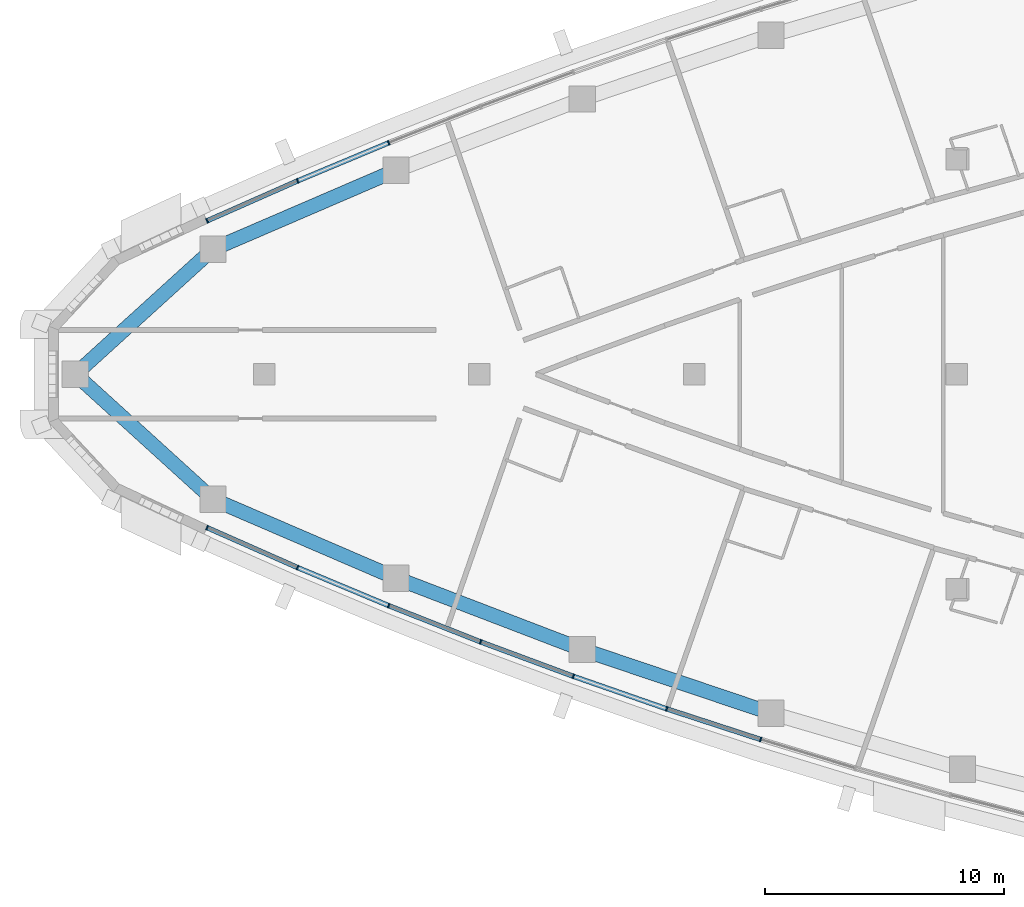
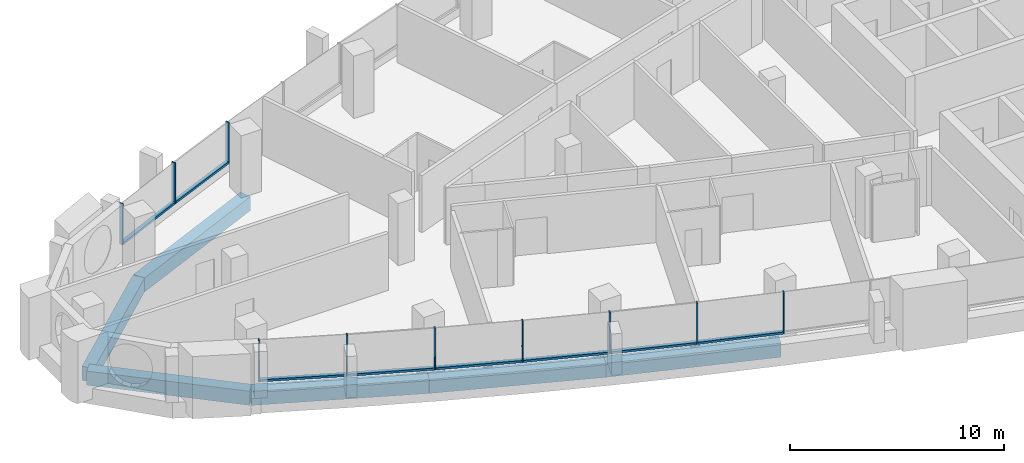
# One storey, part 2 of 15: 18 members, 6 beams, 5 elements without a shape of their own.
"""IFC4 building model written with IfcOpenShell, lengths in metres."""

from ifc_helpers import new_model, si_unit, direction, frame, origin, origin_2d, place, context, subcontext, project, spatial, rectangle, extrude, material, layer, layer_set, material_profile, profile_set, type_object, element, aggregate, save


model = new_model("IFC4")

# Units and contexts
model_context = context("Model", 3, precision=1e-05, world=origin(), true_north=direction((0.0, 1.0)))
body_context = subcontext(model_context, "Body", "Model", "MODEL_VIEW")
ifc_project = project(units=[si_unit("LENGTHUNIT", "METRE"), si_unit("AREAUNIT", "SQUARE_METRE"), si_unit("VOLUMEUNIT", "CUBIC_METRE"), si_unit("PLANEANGLEUNIT", "RADIAN"), si_unit("MASSUNIT", "GRAM", prefix="KILO")], contexts=[model_context])

# Site, building, storey
site_placement = place(None, origin())
site = spatial("IfcSite", under=ifc_project, at=site_placement, CompositionType="ELEMENT")
building_placement = place(site_placement, origin())
building = spatial("IfcBuilding", under=site, at=building_placement, Name="Ostrand Prow Hotel Tower", CompositionType="ELEMENT")
storey_placement = place(building_placement, frame((0.0, 0.0, 292.75)))
storey = spatial("IfcBuildingStorey", under=building, at=storey_placement, Name="L74", CompositionType="ELEMENT", Elevation=292.75)

# Beams
ifc_material_1 = material(Name="Concrete C50/60", Category="concrete")
ifc_material_profile_1 = material_profile(ifc_material_1, rectangle(XDim=0.60009765625, YDim=0.800048828125, at=origin_2d()), Name="RC 600x800")
ifc_profile_set_1 = profile_set([ifc_material_profile_1], Name="Concrete C50/60")
beam_type = type_object("IfcBeamType", Name="Edge beam 600x800 C50/60", PredefinedType="SPANDREL", material=ifc_profile_set_1)
beam_1_placement = place(storey_placement, frame((8.082763671875, 0.0, -0.699951171875), z_axis=(0.740124460758, -0.672469912032, 0.0), x_axis=(0.672469912032, 0.740124460758, 0.0)))
element("IfcBeam", 1, at=beam_1_placement, inside=storey, type_object=beam_type, Name="Edge beam P-S1", PredefinedType="SPANDREL", context=body_context, shape_type="SweptSolid", body=[
    extrude(rectangle(XDim=0.60009765625, YDim=0.800048828125, at=origin_2d()), origin(), (0.0, 0.0, 1.0), 7.787353515625),
])
for number, where, z_axis, x_axis, name in (
    (2, (13.846435546875, -5.23681640625, -0.699951171875), (0.918403788687, -0.39564438695, 0.0), (0.39564438695, 0.918403788687, 0.0), "Edge beam S1-S2"),
    (3, (21.51416015625, -8.5400390625, -0.699951171875), (0.933761753797, -0.357895218111, 0.0), (0.357895218111, 0.933761753797, 0.0), "Edge beam S2-S3"),
    (4, (29.31005859375, -11.528076171875, -0.699951171875), (0.947575089419, -0.319533174981, 0.0), (0.319533174981, 0.947575089419, 0.0), "Edge beam S3-S4"),
    (5, (21.51416015625, 8.5400390625, -0.699951171875), (-0.918403788687, -0.39564438695, 0.0), (0.39564438695, -0.918403788687, 0.0), "Edge beam N5-N6"),
):
    element("IfcBeam", number, at=place(storey_placement, frame(where, z_axis=z_axis, x_axis=x_axis)), inside=storey, type_object=beam_type, Name=name, PredefinedType="SPANDREL", context=body_context, shape_type="SweptSolid", body=[
        extrude(rectangle(XDim=0.60009765625, YDim=0.800048828125, at=origin_2d()), origin(), (0.0, 0.0, 1.0), 8.348876953125),
    ])
beam_2_placement = place(storey_placement, frame((13.846435546875, 5.23681640625, -0.699951171875), z_axis=(-0.740124460758, -0.672469912032, 0.0), x_axis=(0.672469912032, -0.740124460758, 0.0)))
element("IfcBeam", 6, at=beam_2_placement, inside=storey, type_object=beam_type, Name="Edge beam N6-P", PredefinedType="SPANDREL", context=body_context, shape_type="SweptSolid", body=[
    extrude(rectangle(XDim=0.60009765625, YDim=0.800048828125, at=origin_2d()), origin(), (0.0, 0.0, 1.0), 7.787353515625),
])

# Curtain wall, members
ifc_material_2 = material(Name="Insulated glass in bronze anodised frame", Category="glass")
ifc_layer = layer(ifc_material_2, 0.199951171875)
ifc_layer_set = layer_set([ifc_layer], Name="Insulated glass in bronze anodised frame")
curtain_wall_type = type_object("IfcCurtainWallType", Name="Strip curtain wall, fritted glass over bronze spandrel", PredefinedType="NOTDEFINED", material=ifc_layer_set)
curtain_wall_1_placement = place(storey_placement, origin())
curtain_wall_1 = element("IfcCurtainWall", 7, at=curtain_wall_1_placement, inside=storey, type_object=curtain_wall_type, Name="CW1 run CWS1", PredefinedType="NOTDEFINED")
ifc_material_3 = material(Name="Bronze anodised aluminium", Category="aluminium")
ifc_material_profile_2 = material_profile(ifc_material_3, rectangle(XDim=0.199951171875, YDim=0.06005859375, at=origin_2d()), Name="Mullion 60x200 bronze anodised aluminium")
ifc_profile_set_2 = profile_set([ifc_material_profile_2], Name="Bronze anodised aluminium")
member_type_1 = type_object("IfcMemberType", Name="Mullion 60x200 bronze anodised aluminium", PredefinedType="MULLION", material=ifc_profile_set_2)
member_1_placement = place(storey_placement, frame((13.60009765625, -6.423583984375, 0.89990234375), z_axis=(0.0, 0.0, 1.0), x_axis=(0.403939694592, 0.914785615941, 0.0)))
member_1 = element("IfcMember", 8, at=member_1_placement, type_object=member_type_1, Name="CW1 mullion 1", PredefinedType="MULLION", context=body_context, shape_type="SweptSolid", body=[
    extrude(rectangle(XDim=0.199951171875, YDim=0.06005859375, at=origin_2d()), origin(), (0.0, 0.0, 1.0), 2.35009765625),
])
member_2_placement = place(storey_placement, frame((17.386962890625, -8.095947265625, 0.89990234375), z_axis=(0.0, 0.0, 1.0), x_axis=(0.385471263659, 0.922719840955, 0.0)))
member_2 = element("IfcMember", 9, at=member_2_placement, type_object=member_type_1, Name="CW1 mullion 2", PredefinedType="MULLION", context=body_context, shape_type="SweptSolid", body=[
    extrude(rectangle(XDim=0.199951171875, YDim=0.06005859375, at=origin_2d()), origin(), (0.0, 0.0, 1.0), 2.35009765625),
])
member_3_placement = place(storey_placement, frame((21.206787109375, -9.691650390625, 0.89990234375), z_axis=(0.0, 0.0, 1.0), x_axis=(0.385471263659, 0.922719840955, 0.0)))
member_3 = element("IfcMember", 10, at=member_3_placement, type_object=member_type_1, Name="CW1 mullion 3", PredefinedType="MULLION", context=body_context, shape_type="SweptSolid", body=[
    extrude(rectangle(XDim=0.199951171875, YDim=0.06005859375, at=origin_2d()), origin(), (0.0, 0.0, 1.0), 2.35009765625),
])

curtain_wall_2_placement = place(storey_placement, origin())
curtain_wall_2 = element("IfcCurtainWall", 11, at=curtain_wall_2_placement, inside=storey, type_object=curtain_wall_type, Name="CW1 run CWS2", PredefinedType="NOTDEFINED")
member_4_placement = place(storey_placement, frame((25.05810546875, -11.210205078125, 0.89990234375), z_axis=(0.0, 0.0, 1.0), x_axis=(0.348071422738, 0.937468017947, 0.0)))
member_4 = element("IfcMember", 12, at=member_4_placement, type_object=member_type_1, Name="CW1 mullion 2", PredefinedType="MULLION", context=body_context, shape_type="SweptSolid", body=[
    extrude(rectangle(XDim=0.199951171875, YDim=0.06005859375, at=origin_2d()), origin(), (0.0, 0.0, 1.0), 2.35009765625),
])
member_5_placement = place(storey_placement, frame((28.93896484375, -12.6513671875, 0.89990234375), z_axis=(0.0, 0.0, 1.0), x_axis=(0.348071422738, 0.937468017947, 0.0)))
member_5 = element("IfcMember", 13, at=member_5_placement, type_object=member_type_1, Name="CW1 mullion 3", PredefinedType="MULLION", context=body_context, shape_type="SweptSolid", body=[
    extrude(rectangle(XDim=0.199951171875, YDim=0.06005859375, at=origin_2d()), origin(), (0.0, 0.0, 1.0), 2.35009765625),
])

curtain_wall_3_placement = place(storey_placement, origin())
curtain_wall_3 = element("IfcCurtainWall", 14, at=curtain_wall_3_placement, inside=storey, type_object=curtain_wall_type, Name="CW1 run CWS3", PredefinedType="NOTDEFINED")
member_6_placement = place(storey_placement, frame((32.84814453125, -14.013916015625, 0.89990234375), z_axis=(0.0, 0.0, 1.0), x_axis=(0.310110668289, 0.950700464612, 0.0)))
member_6 = element("IfcMember", 15, at=member_6_placement, type_object=member_type_1, Name="CW1 mullion 2", PredefinedType="MULLION", context=body_context, shape_type="SweptSolid", body=[
    extrude(rectangle(XDim=0.199951171875, YDim=0.06005859375, at=origin_2d()), origin(), (0.0, 0.0, 1.0), 2.35009765625),
])
member_7_placement = place(storey_placement, frame((36.78369140625, -15.297607421875, 0.89990234375), z_axis=(0.0, 0.0, 1.0), x_axis=(0.310110668289, 0.950700464612, 0.0)))
member_7 = element("IfcMember", 16, at=member_7_placement, type_object=member_type_1, Name="CW1 mullion 3", PredefinedType="MULLION", context=body_context, shape_type="SweptSolid", body=[
    extrude(rectangle(XDim=0.199951171875, YDim=0.06005859375, at=origin_2d()), origin(), (0.0, 0.0, 1.0), 2.35009765625),
])

# Curtain wall, member
curtain_wall_4_placement = place(storey_placement, origin())
curtain_wall_4 = element("IfcCurtainWall", 17, at=curtain_wall_4_placement, inside=storey, type_object=curtain_wall_type, Name="CW1 run CWN4", PredefinedType="NOTDEFINED")
member_8_placement = place(storey_placement, frame((21.206787109375, 9.691650390625, 0.89990234375), z_axis=(0.0, 0.0, 1.0), x_axis=(0.366845465248, -0.930281895249, 0.0)))
member_8 = element("IfcMember", 18, at=member_8_placement, type_object=member_type_1, Name="CW1 mullion 3", PredefinedType="MULLION", context=body_context, shape_type="SweptSolid", body=[
    extrude(rectangle(XDim=0.199951171875, YDim=0.06005859375, at=origin_2d()), origin(), (0.0, 0.0, 1.0), 2.35009765625),
])
aggregate(curtain_wall_4, [member_8])

# Curtain wall, members
curtain_wall_5_placement = place(storey_placement, origin())
curtain_wall_5 = element("IfcCurtainWall", 19, at=curtain_wall_5_placement, inside=storey, type_object=curtain_wall_type, Name="CW1 run CWN5", PredefinedType="NOTDEFINED")
member_9_placement = place(storey_placement, frame((17.386962890625, 8.095947265625, 0.89990234375), z_axis=(0.0, 0.0, 1.0), x_axis=(0.403939694592, -0.914785615941, 0.0)))
member_9 = element("IfcMember", 20, at=member_9_placement, type_object=member_type_1, Name="CW1 mullion 2", PredefinedType="MULLION", context=body_context, shape_type="SweptSolid", body=[
    extrude(rectangle(XDim=0.199951171875, YDim=0.06005859375, at=origin_2d()), origin(), (0.0, 0.0, 1.0), 2.35009765625),
])
member_10_placement = place(storey_placement, frame((13.60009765625, 6.423583984375, 0.89990234375), z_axis=(0.0, 0.0, 1.0), x_axis=(0.403939694592, -0.914785615941, 0.0)))
member_10 = element("IfcMember", 21, at=member_10_placement, type_object=member_type_1, Name="CW1 mullion 3", PredefinedType="MULLION", context=body_context, shape_type="SweptSolid", body=[
    extrude(rectangle(XDim=0.199951171875, YDim=0.06005859375, at=origin_2d()), origin(), (0.0, 0.0, 1.0), 2.35009765625),
])

# Member
ifc_material_4 = material(Name="Bronze anodised aluminium", Category="aluminium")
ifc_material_profile_3 = material_profile(ifc_material_4, rectangle(XDim=0.199951171875, YDim=0.1201171875, at=origin_2d()), Name="Transom 120x200 bronze anodised aluminium")
ifc_profile_set_3 = profile_set([ifc_material_profile_3], Name="Bronze anodised aluminium")
member_type_2 = type_object("IfcMemberType", Name="Transom 120x200 bronze anodised aluminium", PredefinedType="USERDEFINED", material=ifc_profile_set_3)
member_11_placement = place(storey_placement, frame((13.62744140625, -6.435791015625, 0.9599609375), z_axis=(0.914791011182, -0.403927475991, 0.0), x_axis=(0.403927475991, 0.914791011182, 0.0)))
member_11 = element("IfcMember", 22, at=member_11_placement, type_object=member_type_2, Name="CW1 transom 1.1", ObjectType="TRANSOM", PredefinedType="USERDEFINED", context=body_context, shape_type="SweptSolid", body=[
    extrude(rectangle(XDim=0.199951171875, YDim=0.1201171875, at=origin_2d()), origin(), (0.0, 0.0, 1.0), 4.079833984375),
])

member_12_placement = place(storey_placement, frame((17.414794921875, -8.107421875, 0.9599609375), z_axis=(0.922706465875, -0.385503278628, 0.0), x_axis=(0.385503278628, 0.922706465875, 0.0)))
member_12 = element("IfcMember", 23, at=member_12_placement, type_object=member_type_2, Name="CW1 transom 2.1", ObjectType="TRANSOM", PredefinedType="USERDEFINED", context=body_context, shape_type="SweptSolid", body=[
    extrude(rectangle(XDim=0.199951171875, YDim=0.1201171875, at=origin_2d()), origin(), (0.0, 0.0, 1.0), 4.079833984375),
])

aggregate(curtain_wall_1, [member_1, member_2, member_3, member_11, member_12])

member_13_placement = place(storey_placement, frame((21.23486328125, -9.70263671875, 0.9599609375), z_axis=(0.930289613186, -0.366825892759, 0.0), x_axis=(0.366825892759, 0.930289613186, 0.0)))
member_13 = element("IfcMember", 24, at=member_13_placement, type_object=member_type_2, Name="CW1 transom 1.1", ObjectType="TRANSOM", PredefinedType="USERDEFINED", context=body_context, shape_type="SweptSolid", body=[
    extrude(rectangle(XDim=0.199951171875, YDim=0.1201171875, at=origin_2d()), origin(), (0.0, 0.0, 1.0), 4.079833984375),
])

member_14_placement = place(storey_placement, frame((25.086181640625, -11.220703125, 0.9599609375), z_axis=(0.937460424566, -0.348091873465, 0.0), x_axis=(0.348091873465, 0.937460424566, 0.0)))
member_14 = element("IfcMember", 25, at=member_14_placement, type_object=member_type_2, Name="CW1 transom 2.1", ObjectType="TRANSOM", PredefinedType="USERDEFINED", context=body_context, shape_type="SweptSolid", body=[
    extrude(rectangle(XDim=0.199951171875, YDim=0.1201171875, at=origin_2d()), origin(), (0.0, 0.0, 1.0), 4.079833984375),
])

aggregate(curtain_wall_2, [member_4, member_5, member_13, member_14])

member_15_placement = place(storey_placement, frame((28.96728515625, -12.6611328125, 0.9599609375), z_axis=(0.944268108385, -0.329177367822, 0.0), x_axis=(0.329177367822, 0.944268108385, 0.0)))
member_15 = element("IfcMember", 26, at=member_15_placement, type_object=member_type_2, Name="CW1 transom 1.1", ObjectType="TRANSOM", PredefinedType="USERDEFINED", context=body_context, shape_type="SweptSolid", body=[
    extrude(rectangle(XDim=0.199951171875, YDim=0.1201171875, at=origin_2d()), origin(), (0.0, 0.0, 1.0), 4.079833984375),
])

member_16_placement = place(storey_placement, frame((32.876708984375, -14.023193359375, 0.9599609375), z_axis=(0.950704145978, -0.310099382165, 0.0), x_axis=(0.310099382165, 0.950704145978, 0.0)))
member_16 = element("IfcMember", 27, at=member_16_placement, type_object=member_type_2, Name="CW1 transom 2.1", ObjectType="TRANSOM", PredefinedType="USERDEFINED", context=body_context, shape_type="SweptSolid", body=[
    extrude(rectangle(XDim=0.199951171875, YDim=0.1201171875, at=origin_2d()), origin(), (0.0, 0.0, 1.0), 4.079833984375),
])

aggregate(curtain_wall_3, [member_6, member_7, member_15, member_16])

member_17_placement = place(storey_placement, frame((21.17919921875, 9.68017578125, 0.9599609375), z_axis=(-0.922706465875, -0.385503278628, 0.0), x_axis=(0.385503278628, -0.922706465875, 0.0)))
member_17 = element("IfcMember", 28, at=member_17_placement, type_object=member_type_2, Name="CW1 transom 1.1", ObjectType="TRANSOM", PredefinedType="USERDEFINED", context=body_context, shape_type="SweptSolid", body=[
    extrude(rectangle(XDim=0.199951171875, YDim=0.1201171875, at=origin_2d()), origin(), (0.0, 0.0, 1.0), 4.079833984375),
])

member_18_placement = place(storey_placement, frame((17.359619140625, 8.083740234375, 0.9599609375), z_axis=(-0.914791011182, -0.403927475991, 0.0), x_axis=(0.403927475991, -0.914791011182, 0.0)))
member_18 = element("IfcMember", 29, at=member_18_placement, type_object=member_type_2, Name="CW1 transom 2.1", ObjectType="TRANSOM", PredefinedType="USERDEFINED", context=body_context, shape_type="SweptSolid", body=[
    extrude(rectangle(XDim=0.199951171875, YDim=0.1201171875, at=origin_2d()), origin(), (0.0, 0.0, 1.0), 4.079833984375),
])

aggregate(curtain_wall_5, [member_9, member_10, member_17, member_18])

save(model, "model.ifc")
